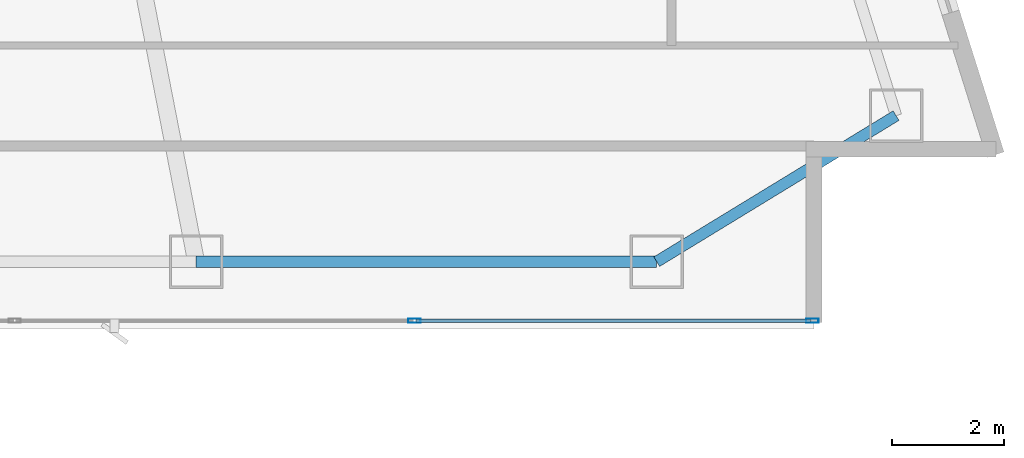
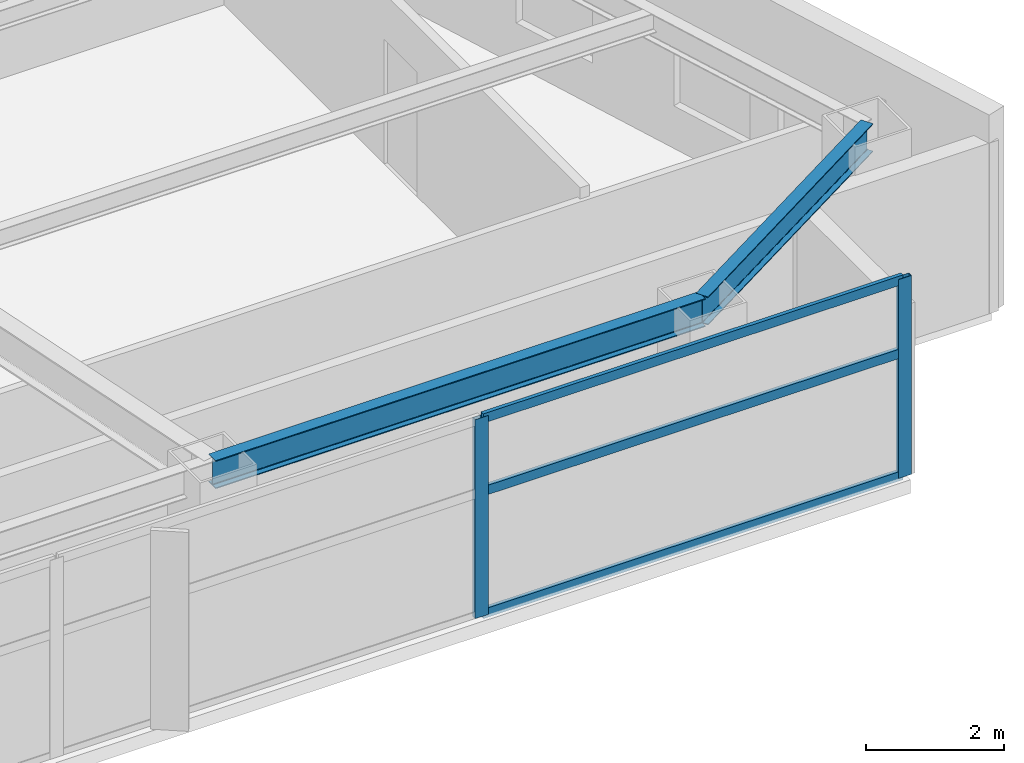
# One storey, part 13 of 28: 5 members, 2 beams, 1 element without a shape of its own.
"""IFC4 building model written with IfcOpenShell, lengths in metres."""

from ifc_helpers import new_model, si_unit, direction, frame, origin, origin_2d, place, context, subcontext, project, spatial, hollow_rectangle, i_section, extrude, material, layer, layer_set, material_profile, profile_set, type_object, element, aggregate, save


model = new_model("IFC4")

# Units and contexts
model_context = context("Model", 3, precision=1e-05, world=origin(), true_north=direction((0.0, 1.0)))
body_context = subcontext(model_context, "Body", "Model", "MODEL_VIEW")
ifc_project = project(units=[si_unit("LENGTHUNIT", "METRE"), si_unit("AREAUNIT", "SQUARE_METRE"), si_unit("VOLUMEUNIT", "CUBIC_METRE"), si_unit("PLANEANGLEUNIT", "RADIAN"), si_unit("MASSUNIT", "GRAM", prefix="KILO")], contexts=[model_context])

# Site, building, storey
site_placement = place(None, origin())
site = spatial("IfcSite", under=ifc_project, at=site_placement, CompositionType="ELEMENT")
building_placement = place(site_placement, origin())
building = spatial("IfcBuilding", under=site, at=building_placement, Name="Calvorn Quay Hotel", CompositionType="ELEMENT")
storey_placement = place(building_placement, frame((0.0, 0.0, 42.199951171875)))
storey = spatial("IfcBuildingStorey", under=building, at=storey_placement, Name="L09", CompositionType="ELEMENT", Elevation=42.199951171875)

# Beams
ifc_material_1 = material(Name="Steel Q355B", Category="steel")
ifc_material_profile_1 = material_profile(ifc_material_1, i_section(OverallWidth=0.199951171875, OverallDepth=0.5, WebThickness=0.010009765625, FlangeThickness=0.01611328125, FilletRadius=0.01611328125, at=origin_2d()), Name="HN500x200x10x16")
ifc_profile_set_1 = profile_set([ifc_material_profile_1], Name="Steel Q355B")
beam_type = type_object("IfcBeamType", Name="BM-SPANDREL-Z1", PredefinedType="SPANDREL", material=ifc_profile_set_1)
beam_1_placement = place(storey_placement, frame((49.39990234375, 3.60009765625, 3.27001953125), z_axis=(1.0, 0.0, 0.0), x_axis=(0.0, 1.0, 0.0)))
element("IfcBeam", 1, at=beam_1_placement, inside=storey, type_object=beam_type, Name="Beam BSP-L09-S6", PredefinedType="SPANDREL", context=body_context, shape_type="SweptSolid", body=[
    extrude(i_section(OverallWidth=0.199951171875, OverallDepth=0.5, WebThickness=0.010009765625, FlangeThickness=0.01611328125, FilletRadius=0.01611328125, at=origin_2d()), origin(), (0.0, 0.0, 1.0), 8.2001953125),
])
beam_2_placement = place(storey_placement, frame((57.60009765625, 3.60009765625, 3.27001953125), z_axis=(0.853645546466, 0.520854376, 0.0), x_axis=(-0.520854376, 0.853645546466, 0.0)))
element("IfcBeam", 2, at=beam_2_placement, inside=storey, type_object=beam_type, Name="Beam BSP-L09-S7", PredefinedType="SPANDREL", context=body_context, shape_type="SweptSolid", body=[
    extrude(i_section(OverallWidth=0.199951171875, OverallDepth=0.5, WebThickness=0.010009765625, FlangeThickness=0.01611328125, FilletRadius=0.01611328125, at=origin_2d()), origin(), (0.0, 0.0, 1.0), 4.991455078125),
])

# Curtain wall, members
ifc_material_2 = material(Name="Pale Anodised Aluminium and Low-E Glass", Category="aluminium")
ifc_layer = layer(ifc_material_2, 0.219970703125)
ifc_layer_set = layer_set([ifc_layer], Name="CW-SYS-Z1")
curtain_wall_type = type_object("IfcCurtainWallType", Name="CW-SYS-Z1", PredefinedType="NOTDEFINED", material=ifc_layer_set)
curtain_wall_placement = place(storey_placement, origin())
curtain_wall = element("IfcCurtainWall", 3, at=curtain_wall_placement, inside=storey, type_object=curtain_wall_type, Name="Tower South Waterfront Curtain Wall (L09)", PredefinedType="NOTDEFINED")
ifc_material_3 = material(Name="Pale Anodised Aluminium 6063-T6", Category="aluminium")
ifc_material_profile_2 = material_profile(ifc_material_3, hollow_rectangle(XDim=0.074951171875, YDim=0.219970703125, WallThickness=0.00439453125, at=origin_2d()), Name="ALU-M220x75x4.5")
ifc_profile_set_2 = profile_set([ifc_material_profile_2], Name="Pale Anodised Aluminium 6063-T6")
member_type_1 = type_object("IfcMemberType", Name="CW-SYS-Z1-MUL", PredefinedType="MULLION", material=ifc_profile_set_2)
member_1_placement = place(storey_placement, frame((53.28564453125, 2.550048828125, 0.0), z_axis=(0.0, 0.0, 1.0), x_axis=(0.0, 1.0, 0.0)))
member_1 = element("IfcMember", 4, at=member_1_placement, type_object=member_type_1, Name="CW-L09-S mullion 7", PredefinedType="MULLION", context=body_context, shape_type="SweptSolid", body=[
    extrude(hollow_rectangle(XDim=0.074951171875, YDim=0.219970703125, WallThickness=0.00439453125, at=origin_2d()), origin(), (0.0, 0.0, 1.0), 3.52001953125),
])
member_2_placement = place(storey_placement, frame((60.3701171875, 2.550048828125, 0.0), z_axis=(0.0, 0.0, 1.0), x_axis=(0.0, 1.0, 0.0)))
member_2 = element("IfcMember", 5, at=member_2_placement, type_object=member_type_1, Name="CW-L09-S mullion 8", PredefinedType="MULLION", context=body_context, shape_type="SweptSolid", body=[
    extrude(hollow_rectangle(XDim=0.074951171875, YDim=0.219970703125, WallThickness=0.00439453125, at=origin_2d()), origin(), (0.0, 0.0, 1.0), 3.52001953125),
])
ifc_material_4 = material(Name="Pale Anodised Aluminium 6063-T6", Category="aluminium")
ifc_material_profile_3 = material_profile(ifc_material_4, hollow_rectangle(XDim=0.06494140625, YDim=0.1650390625, WallThickness=0.00341796875, at=origin_2d()), Name="ALU-T165x65x3.5")
ifc_profile_set_3 = profile_set([ifc_material_profile_3], Name="Pale Anodised Aluminium 6063-T6")
member_type_2 = type_object("IfcMemberType", Name="CW-SYS-Z1-TRN", PredefinedType="USERDEFINED", material=ifc_profile_set_3)
member_3_placement = place(storey_placement, frame((53.315673828125, 2.550048828125, 0.030029296875), z_axis=(1.0, 0.0, 0.0), x_axis=(0.0, 1.0, 0.0)))
member_3 = element("IfcMember", 6, at=member_3_placement, type_object=member_type_2, Name="CW-L09-S transom 7.1", ObjectType="TRANSOM", PredefinedType="USERDEFINED", context=body_context, shape_type="SweptSolid", body=[
    extrude(hollow_rectangle(XDim=0.06494140625, YDim=0.1650390625, WallThickness=0.00341796875, at=origin_2d()), origin(), (0.0, 0.0, 1.0), 7.0244140625),
])
member_4_placement = place(storey_placement, frame((53.315673828125, 2.550048828125, 2.199951171875), z_axis=(1.0, 0.0, 0.0), x_axis=(0.0, 1.0, 0.0)))
member_4 = element("IfcMember", 7, at=member_4_placement, type_object=member_type_2, Name="CW-L09-S transom 7.2", ObjectType="TRANSOM", PredefinedType="USERDEFINED", context=body_context, shape_type="SweptSolid", body=[
    extrude(hollow_rectangle(XDim=0.06494140625, YDim=0.1650390625, WallThickness=0.00341796875, at=origin_2d()), origin(), (0.0, 0.0, 1.0), 7.0244140625),
])
member_5_placement = place(storey_placement, frame((53.315673828125, 2.550048828125, 3.489990234375), z_axis=(1.0, 0.0, 0.0), x_axis=(0.0, 1.0, 0.0)))
member_5 = element("IfcMember", 8, at=member_5_placement, type_object=member_type_2, Name="CW-L09-S transom 7.3", ObjectType="TRANSOM", PredefinedType="USERDEFINED", context=body_context, shape_type="SweptSolid", body=[
    extrude(hollow_rectangle(XDim=0.06494140625, YDim=0.1650390625, WallThickness=0.00341796875, at=origin_2d()), origin(), (0.0, 0.0, 1.0), 7.0244140625),
])
aggregate(curtain_wall, [member_1, member_2, member_3, member_4, member_5])

save(model, "model.ifc")
